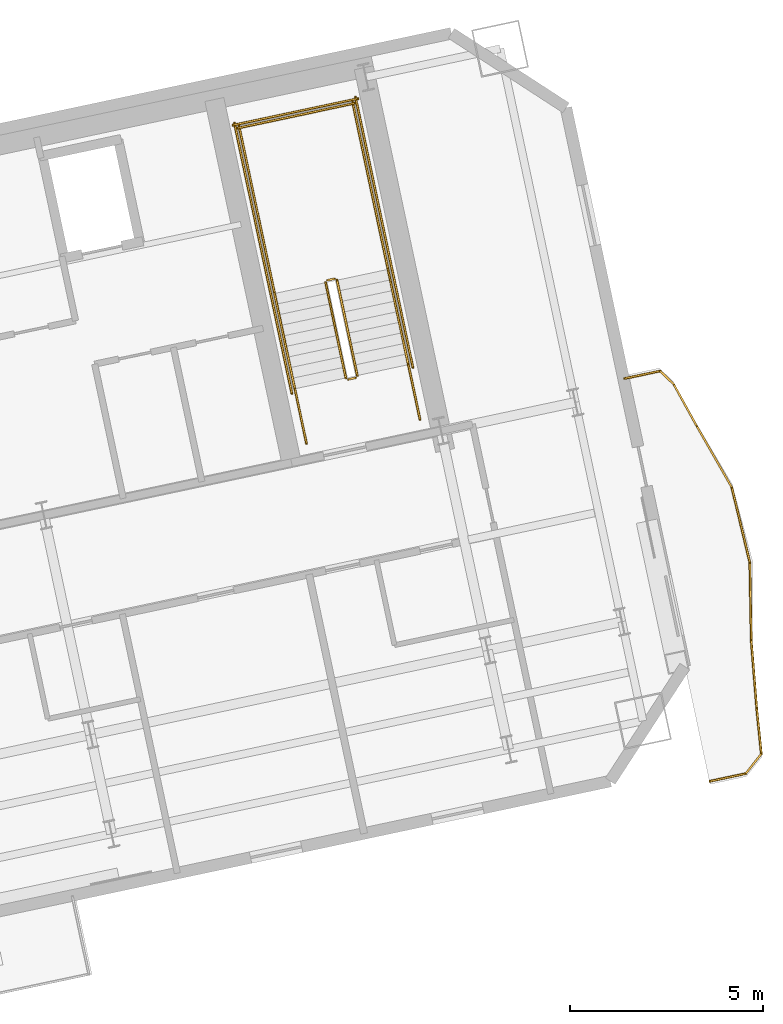
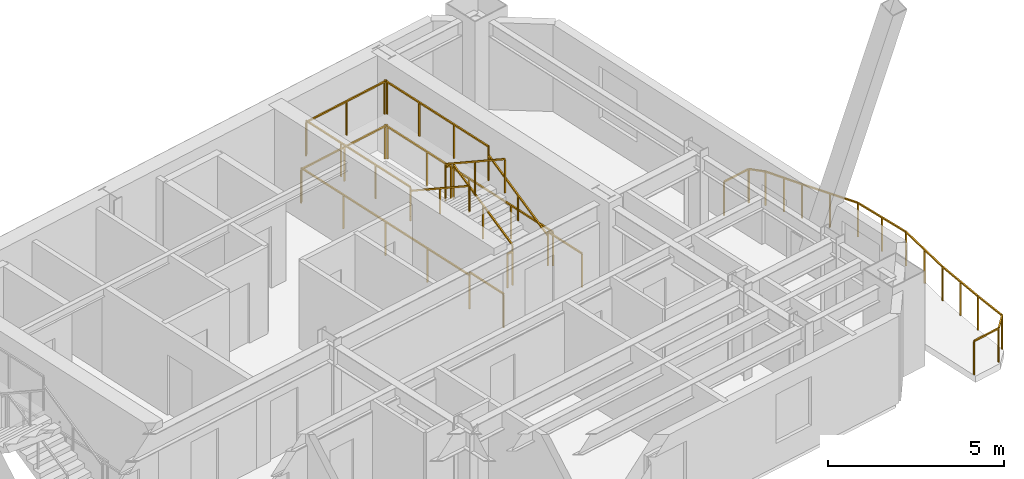
# One storey, part 13 of 13: 24 railings.
"""IFC4 building model written with IfcOpenShell, lengths in metres."""

from ifc_helpers import new_model, si_unit, direction, frame, origin, origin_2d, place, context, subcontext, project, spatial, rectangle, extrude, material, type_object, element, save


model = new_model("IFC4")

# Units and contexts
model_context = context("Model", 3, precision=1e-05, world=origin(), true_north=direction((0.0, 1.0)))
body_context = subcontext(model_context, "Body", "Model", "MODEL_VIEW")
ifc_project = project(units=[si_unit("LENGTHUNIT", "METRE"), si_unit("AREAUNIT", "SQUARE_METRE"), si_unit("VOLUMEUNIT", "CUBIC_METRE"), si_unit("PLANEANGLEUNIT", "RADIAN"), si_unit("MASSUNIT", "GRAM", prefix="KILO")], contexts=[model_context])

# Site, building, storey
site_placement = place(None, origin())
site = spatial("IfcSite", under=ifc_project, at=site_placement, CompositionType="ELEMENT")
building_placement = place(site_placement, origin())
building = spatial("IfcBuilding", under=site, at=building_placement, Name="Haevon Station Towers", CompositionType="ELEMENT")
storey_placement = place(building_placement, frame((0.0, 0.0, 185.699951171875)))
storey = spatial("IfcBuildingStorey", under=building, at=storey_placement, Name="L51", CompositionType="ELEMENT", Elevation=185.699951171875)

# Railings
ifc_material = material(Name="Steel S355", Category="steel")
railing_type_1 = type_object("IfcRailingType", Name="GRD-EXT1200", PredefinedType="GUARDRAIL", material=ifc_material)
railing_1_placement = place(storey_placement, frame((126.252197265625, 32.750244140625, 0.0)))
element("IfcRailing", 1, at=railing_1_placement, inside=storey, type_object=railing_type_1, Name="L51 Perimeter Guardrail 1", PredefinedType="GUARDRAIL", context=body_context, shape_type="SweptSolid", body=[
    extrude(rectangle(XDim=0.048095703125, YDim=0.048095703125, at=origin_2d()), frame((0.0, 0.0, 1.17578125), z_axis=(0.977696305652, 0.210023650844, 0.0), x_axis=(-0.210023650844, 0.977696305652, 0.0)), (0.0, 0.0, 1.0), 0.94384765625),
    extrude(rectangle(XDim=0.0419921875, YDim=0.0419921875, at=origin_2d()), origin(), (0.0, 0.0, 1.0), 1.15185546875),
    extrude(rectangle(XDim=0.0419921875, YDim=0.0419921875, at=origin_2d()), frame((0.9228515625, 0.1982421875, 0.0)), (0.0, 0.0, 1.0), 1.15185546875),
])
railing_2_placement = place(storey_placement, frame((127.175048828125, 32.948486328125, 0.0)))
element("IfcRailing", 2, at=railing_2_placement, inside=storey, type_object=railing_type_1, Name="L51 Perimeter Guardrail 2", PredefinedType="GUARDRAIL", context=body_context, shape_type="SweptSolid", body=[
    extrude(rectangle(XDim=0.048095703125, YDim=0.048095703125, at=origin_2d()), frame((0.0, 0.0, 1.17578125), z_axis=(0.622202546772, 0.782856302773, 0.0), x_axis=(-0.782856302773, 0.622202546772, 0.0)), (0.0, 0.0, 1.0), 0.645751953125),
    extrude(rectangle(XDim=0.0419921875, YDim=0.0419921875, at=origin_2d()), origin(), (0.0, 0.0, 1.0), 1.15185546875),
    extrude(rectangle(XDim=0.0419921875, YDim=0.0419921875, at=origin_2d()), frame((0.40185546875, 0.505615234375, 0.0)), (0.0, 0.0, 1.0), 1.15185546875),
])
railing_3_placement = place(storey_placement, frame((127.576904296875, 33.4541015625, 0.0)))
element("IfcRailing", 3, at=railing_3_placement, inside=storey, type_object=railing_type_1, Name="L51 Perimeter Guardrail 3", PredefinedType="GUARDRAIL", context=body_context, shape_type="SweptSolid", body=[
    extrude(rectangle(XDim=0.048095703125, YDim=0.048095703125, at=origin_2d()), frame((0.0, 0.0, 1.17578125), z_axis=(-0.100981781976, 0.994888274988, 0.0), x_axis=(-0.994888274988, -0.100981781976, 0.0)), (0.0, 0.0, 1.0), 1.177490234375),
    extrude(rectangle(XDim=0.0419921875, YDim=0.0419921875, at=origin_2d()), origin(), (0.0, 0.0, 1.0), 1.15185546875),
    extrude(rectangle(XDim=0.0419921875, YDim=0.0419921875, at=origin_2d()), frame((-0.118896484375, 1.17138671875, 0.0)), (0.0, 0.0, 1.0), 1.15185546875),
])
railing_4_placement = place(storey_placement, frame((127.4580078125, 34.62548828125, 0.0)))
element("IfcRailing", 4, at=railing_4_placement, inside=storey, type_object=railing_type_1, Name="L51 Perimeter Guardrail 4", PredefinedType="GUARDRAIL", context=body_context, shape_type="SweptSolid", body=[
    extrude(rectangle(XDim=0.048095703125, YDim=0.048095703125, at=origin_2d()), frame((0.0, 0.0, 1.17578125), z_axis=(-0.080135783241, 0.996783956655, 0.0), x_axis=(-0.996783956655, -0.080135783241, 0.0)), (0.0, 0.0, 1.0), 1.763916015625),
    extrude(rectangle(XDim=0.0419921875, YDim=0.0419921875, at=origin_2d()), origin(), (0.0, 0.0, 1.0), 1.15185546875),
    extrude(rectangle(XDim=0.0419921875, YDim=0.0419921875, at=origin_2d()), frame((-0.07080078125, 0.879150390625, 0.0)), (0.0, 0.0, 1.0), 1.15185546875),
    extrude(rectangle(XDim=0.0419921875, YDim=0.0419921875, at=origin_2d()), frame((-0.141357421875, 1.75830078125, 0.0)), (0.0, 0.0, 1.0), 1.15185546875),
])
railing_5_placement = place(storey_placement, frame((127.316650390625, 36.3837890625, 0.0)))
element("IfcRailing", 5, at=railing_5_placement, inside=storey, type_object=railing_type_1, Name="L51 Perimeter Guardrail 5", PredefinedType="GUARDRAIL", context=body_context, shape_type="SweptSolid", body=[
    extrude(rectangle(XDim=0.048095703125, YDim=0.048095703125, at=origin_2d()), frame((0.0, 0.0, 1.17578125), z_axis=(-0.018555493628, 0.999827832007, 0.0), x_axis=(-0.999827832007, -0.018555493628, 0.0)), (0.0, 0.0, 1.0), 2.026123046875),
    extrude(rectangle(XDim=0.0419921875, YDim=0.0419921875, at=origin_2d()), origin(), (0.0, 0.0, 1.0), 1.15185546875),
    extrude(rectangle(XDim=0.0419921875, YDim=0.0419921875, at=origin_2d()), frame((-0.018798828125, 1.012939453125, 0.0)), (0.0, 0.0, 1.0), 1.15185546875),
    extrude(rectangle(XDim=0.0419921875, YDim=0.0419921875, at=origin_2d()), frame((-0.03759765625, 2.02587890625, 0.0)), (0.0, 0.0, 1.0), 1.15185546875),
])
railing_6_placement = place(storey_placement, frame((127.279052734375, 38.40966796875, 0.0)))
element("IfcRailing", 6, at=railing_6_placement, inside=storey, type_object=railing_type_1, Name="L51 Perimeter Guardrail 6", PredefinedType="GUARDRAIL", context=body_context, shape_type="SweptSolid", body=[
    extrude(rectangle(XDim=0.048095703125, YDim=0.048095703125, at=origin_2d()), frame((0.0, 0.0, 1.17578125), z_axis=(-0.233650836689, 0.972320567773, 0.0), x_axis=(-0.972320567773, -0.233650836689, 0.0)), (0.0, 0.0, 1.0), 1.99365234375),
    extrude(rectangle(XDim=0.0419921875, YDim=0.0419921875, at=origin_2d()), origin(), (0.0, 0.0, 1.0), 1.15185546875),
    extrude(rectangle(XDim=0.0419921875, YDim=0.0419921875, at=origin_2d()), frame((-0.23291015625, 0.96923828125, 0.0)), (0.0, 0.0, 1.0), 1.15185546875),
    extrude(rectangle(XDim=0.0419921875, YDim=0.0419921875, at=origin_2d()), frame((-0.4658203125, 1.9384765625, 0.0)), (0.0, 0.0, 1.0), 1.15185546875),
])
railing_7_placement = place(storey_placement, frame((126.813232421875, 40.34814453125, 0.0)))
element("IfcRailing", 7, at=railing_7_placement, inside=storey, type_object=railing_type_1, Name="L51 Perimeter Guardrail 7", PredefinedType="GUARDRAIL", context=body_context, shape_type="SweptSolid", body=[
    extrude(rectangle(XDim=0.048095703125, YDim=0.048095703125, at=origin_2d()), frame((0.0, 0.0, 1.17578125), z_axis=(-0.49628237172, 0.868161164485, 0.0), x_axis=(-0.868161164485, -0.49628237172, 0.0)), (0.0, 0.0, 1.0), 1.8330078125),
    extrude(rectangle(XDim=0.0419921875, YDim=0.0419921875, at=origin_2d()), origin(), (0.0, 0.0, 1.0), 1.15185546875),
    extrude(rectangle(XDim=0.0419921875, YDim=0.0419921875, at=origin_2d()), frame((-0.454833984375, 0.795654296875, 0.0)), (0.0, 0.0, 1.0), 1.15185546875),
    extrude(rectangle(XDim=0.0419921875, YDim=0.0419921875, at=origin_2d()), frame((-0.90966796875, 1.59130859375, 0.0)), (0.0, 0.0, 1.0), 1.15185546875),
])
railing_8_placement = place(storey_placement, frame((125.903564453125, 41.939453125, 0.0)))
element("IfcRailing", 8, at=railing_8_placement, inside=storey, type_object=railing_type_1, Name="L51 Perimeter Guardrail 8", PredefinedType="GUARDRAIL", context=body_context, shape_type="SweptSolid", body=[
    extrude(rectangle(XDim=0.048095703125, YDim=0.048095703125, at=origin_2d()), frame((0.0, 0.0, 1.17578125), z_axis=(-0.482401562571, 0.875950188327, 0.0), x_axis=(-0.875950188327, -0.482401562571, 0.0)), (0.0, 0.0, 1.0), 1.22265625),
    extrude(rectangle(XDim=0.0419921875, YDim=0.0419921875, at=origin_2d()), origin(), (0.0, 0.0, 1.0), 1.15185546875),
    extrude(rectangle(XDim=0.0419921875, YDim=0.0419921875, at=origin_2d()), frame((-0.294921875, 0.53564453125, 0.0)), (0.0, 0.0, 1.0), 1.15185546875),
    extrude(rectangle(XDim=0.0419921875, YDim=0.0419921875, at=origin_2d()), frame((-0.58984375, 1.071044921875, 0.0)), (0.0, 0.0, 1.0), 1.15185546875),
])
railing_9_placement = place(storey_placement, frame((125.313720703125, 43.010498046875, 0.0)))
element("IfcRailing", 9, at=railing_9_placement, inside=storey, type_object=railing_type_1, Name="L51 Perimeter Guardrail 9", PredefinedType="GUARDRAIL", context=body_context, shape_type="SweptSolid", body=[
    extrude(rectangle(XDim=0.048095703125, YDim=0.048095703125, at=origin_2d()), frame((0.0, 0.0, 1.17578125), z_axis=(-0.712536329819, 0.70163521768, 0.0), x_axis=(-0.70163521768, -0.712536329819, 0.0)), (0.0, 0.0, 1.0), 0.49267578125),
    extrude(rectangle(XDim=0.0419921875, YDim=0.0419921875, at=origin_2d()), origin(), (0.0, 0.0, 1.0), 1.15185546875),
    extrude(rectangle(XDim=0.0419921875, YDim=0.0419921875, at=origin_2d()), frame((-0.35107421875, 0.345703125, 0.0)), (0.0, 0.0, 1.0), 1.15185546875),
])
railing_10_placement = place(storey_placement, frame((124.962646484375, 43.356201171875, 0.0)))
element("IfcRailing", 10, at=railing_10_placement, inside=storey, type_object=railing_type_1, Name="L51 Perimeter Guardrail 10", PredefinedType="GUARDRAIL", context=body_context, shape_type="SweptSolid", body=[
    extrude(rectangle(XDim=0.048095703125, YDim=0.048095703125, at=origin_2d()), frame((0.0, 0.0, 1.17578125), z_axis=(-0.978612883571, -0.205710534754, 0.0), x_axis=(0.205710534754, -0.978612883571, 0.0)), (0.0, 0.0, 1.0), 0.943603515625),
    extrude(rectangle(XDim=0.0419921875, YDim=0.0419921875, at=origin_2d()), origin(), (0.0, 0.0, 1.0), 1.15185546875),
    extrude(rectangle(XDim=0.0419921875, YDim=0.0419921875, at=origin_2d()), frame((-0.92333984375, -0.194091796875, 0.0)), (0.0, 0.0, 1.0), 1.15185546875),
])
railing_type_2 = type_object("IfcRailingType", Name="GRD-STR1200", PredefinedType="GUARDRAIL", material=ifc_material)
railing_11_placement = place(storey_placement, frame((117.128662109375, 43.23974609375, 0.1650390625)))
element("IfcRailing", 11, at=railing_11_placement, inside=storey, type_object=railing_type_2, Name="L51 ST4 Stair Guard 1", PredefinedType="GUARDRAIL", context=body_context, shape_type="SweptSolid", body=[
    extrude(rectangle(XDim=0.048095703125, YDim=0.048095703125, at=origin_2d()), frame((0.0, 0.0, 1.17578125), z_axis=(-0.179121265225, 0.842687928106, 0.507732831485), x_axis=(-0.978147030254, -0.207914374695, 0.0)), (0.0, 0.0, 1.0), 2.925048828125),
    extrude(rectangle(XDim=0.0419921875, YDim=0.0419921875, at=origin_2d()), origin(), (0.0, 0.0, 1.0), 1.15185546875),
    extrude(rectangle(XDim=0.0419921875, YDim=0.0419921875, at=origin_2d()), frame((-0.261962890625, 1.232421875, 0.74267578125)), (0.0, 0.0, 1.0), 1.15185546875),
    extrude(rectangle(XDim=0.0419921875, YDim=0.0419921875, at=origin_2d()), frame((-0.52392578125, 2.46484375, 1.485107421875)), (0.0, 0.0, 1.0), 1.15185546875),
])
railing_12_placement = place(storey_placement, frame((116.54541015625, 45.7431640625, 1.650146484375)))
element("IfcRailing", 12, at=railing_12_placement, inside=storey, type_object=railing_type_2, Name="L51 ST4 Stair Guard 2", PredefinedType="GUARDRAIL", context=body_context, shape_type="SweptSolid", body=[
    extrude(rectangle(XDim=0.048095703125, YDim=0.048095703125, at=origin_2d()), frame((0.0, 0.0, 1.17578125), z_axis=(-0.97826412705, -0.207362720198, 0.0), x_axis=(0.207362720198, -0.97826412705, 0.0)), (0.0, 0.0, 1.0), 0.2001953125),
    extrude(rectangle(XDim=0.0419921875, YDim=0.0419921875, at=origin_2d()), origin(), (0.0, 0.0, 1.0), 1.15185546875),
    extrude(rectangle(XDim=0.0419921875, YDim=0.0419921875, at=origin_2d()), frame((-0.19580078125, -0.04150390625, 0.0)), (0.0, 0.0, 1.0), 1.15185546875),
])
railing_13_placement = place(storey_placement, frame((117.925048828125, 45.9853515625, 1.650146484375)))
element("IfcRailing", 13, at=railing_13_placement, inside=storey, type_object=railing_type_2, Name="L51 ST4 Stair Guard 3", PredefinedType="GUARDRAIL", context=body_context, shape_type="SweptSolid", body=[
    extrude(rectangle(XDim=0.048095703125, YDim=0.048095703125, at=origin_2d()), frame((0.0, 0.0, 1.17578125), z_axis=(-0.207876551949, 0.978155069071, 0.0), x_axis=(-0.978155069071, -0.207876551949, 0.0)), (0.0, 0.0, 1.0), 4.429931640625),
    extrude(rectangle(XDim=0.0419921875, YDim=0.0419921875, at=origin_2d()), origin(), (0.0, 0.0, 1.0), 1.15185546875),
    extrude(rectangle(XDim=0.0419921875, YDim=0.0419921875, at=origin_2d()), frame((-0.306884765625, 1.4443359375, 0.0)), (0.0, 0.0, 1.0), 1.15185546875),
    extrude(rectangle(XDim=0.0419921875, YDim=0.0419921875, at=origin_2d()), frame((-0.614013671875, 2.888916015625, 0.0)), (0.0, 0.0, 1.0), 1.15185546875),
    extrude(rectangle(XDim=0.0419921875, YDim=0.0419921875, at=origin_2d()), frame((-0.9208984375, 4.333251953125, 0.0)), (0.0, 0.0, 1.0), 1.15185546875),
])
railing_14_placement = place(storey_placement, frame((114.99072265625, 45.361572265625, 1.650146484375)))
element("IfcRailing", 14, at=railing_14_placement, inside=storey, type_object=railing_type_2, Name="L51 ST4 Stair Guard 4", PredefinedType="GUARDRAIL", context=body_context, shape_type="SweptSolid", body=[
    extrude(rectangle(XDim=0.048095703125, YDim=0.048095703125, at=origin_2d()), frame((0.0, 0.0, 1.17578125), z_axis=(-0.207929280007, 0.978143861871, 0.0), x_axis=(-0.978143861871, -0.207929280007, 0.0)), (0.0, 0.0, 1.0), 4.43017578125),
    extrude(rectangle(XDim=0.0419921875, YDim=0.0419921875, at=origin_2d()), origin(), (0.0, 0.0, 1.0), 1.15185546875),
    extrude(rectangle(XDim=0.0419921875, YDim=0.0419921875, at=origin_2d()), frame((-0.30712890625, 1.4443359375, 0.0)), (0.0, 0.0, 1.0), 1.15185546875),
    extrude(rectangle(XDim=0.0419921875, YDim=0.0419921875, at=origin_2d()), frame((-0.614013671875, 2.888916015625, 0.0)), (0.0, 0.0, 1.0), 1.15185546875),
    extrude(rectangle(XDim=0.0419921875, YDim=0.0419921875, at=origin_2d()), frame((-0.921142578125, 4.333251953125, 0.0)), (0.0, 0.0, 1.0), 1.15185546875),
])
railing_15_placement = place(storey_placement, frame((117.0634765625, 50.280029296875, 1.650146484375)))
element("IfcRailing", 15, at=railing_15_placement, inside=storey, type_object=railing_type_2, Name="L51 ST4 Stair Guard 5", PredefinedType="GUARDRAIL", context=body_context, shape_type="SweptSolid", body=[
    extrude(rectangle(XDim=0.048095703125, YDim=0.048095703125, at=origin_2d()), frame((0.0, 0.0, 1.17578125), z_axis=(-0.978146839882, -0.207915270313, 0.0), x_axis=(0.207915270313, -0.978146839882, 0.0)), (0.0, 0.0, 1.0), 3.099853515625),
    extrude(rectangle(XDim=0.0419921875, YDim=0.0419921875, at=origin_2d()), origin(), (0.0, 0.0, 1.0), 1.15185546875),
    extrude(rectangle(XDim=0.0419921875, YDim=0.0419921875, at=origin_2d()), frame((-1.51611328125, -0.322265625, 0.0)), (0.0, 0.0, 1.0), 1.15185546875),
    extrude(rectangle(XDim=0.0419921875, YDim=0.0419921875, at=origin_2d()), frame((-3.0322265625, -0.64453125, 0.0)), (0.0, 0.0, 1.0), 1.15185546875),
])
railing_16_placement = place(storey_placement, frame((116.311279296875, 45.642333984375, 1.81494140625)))
element("IfcRailing", 16, at=railing_16_placement, inside=storey, type_object=railing_type_2, Name="L51 ST4 Stair Guard 6", PredefinedType="GUARDRAIL", context=body_context, shape_type="SweptSolid", body=[
    extrude(rectangle(XDim=0.048095703125, YDim=0.048095703125, at=origin_2d()), frame((0.0, 0.0, 1.17578125), z_axis=(0.179108667068, -0.842712120868, 0.50769712105), x_axis=(0.978151217824, 0.207894673017, 0.0)), (0.0, 0.0, 1.0), 2.92529296875),
    extrude(rectangle(XDim=0.0419921875, YDim=0.0419921875, at=origin_2d()), origin(), (0.0, 0.0, 1.0), 1.15185546875),
    extrude(rectangle(XDim=0.0419921875, YDim=0.0419921875, at=origin_2d()), frame((0.261962890625, -1.232421875, 0.74267578125)), (0.0, 0.0, 1.0), 1.15185546875),
    extrude(rectangle(XDim=0.0419921875, YDim=0.0419921875, at=origin_2d()), frame((0.52392578125, -2.465087890625, 1.485107421875)), (0.0, 0.0, 1.0), 1.15185546875),
])
railing_17_placement = place(storey_placement, frame((117.090087890625, 43.180419921875, 0.0)))
element("IfcRailing", 17, at=railing_17_placement, inside=storey, type_object=railing_type_2, Name="L51 ST4 Stair Guard 7", PredefinedType="GUARDRAIL", context=body_context, shape_type="SweptSolid", body=[
    extrude(rectangle(XDim=0.048095703125, YDim=0.048095703125, at=origin_2d()), frame((0.0, 0.0, 1.17578125), z_axis=(-0.978211583308, -0.207610448392, 0.0), x_axis=(0.207610448392, -0.978211583308, 0.0)), (0.0, 0.0, 1.0), 0.199951171875),
    extrude(rectangle(XDim=0.0419921875, YDim=0.0419921875, at=origin_2d()), origin(), (0.0, 0.0, 1.0), 1.15185546875),
    extrude(rectangle(XDim=0.0419921875, YDim=0.0419921875, at=origin_2d()), frame((-0.195556640625, -0.04150390625, 0.0)), (0.0, 0.0, 1.0), 1.15185546875),
])
for number, where, name in (
    (18, (118.75048828125, 42.10205078125, 0.0), "L51 ST4 Stair Guard 8"),
    (19, (115.816162109375, 41.478271484375, 0.0), "L51 ST4 Stair Guard 9"),
):
    element("IfcRailing", number, at=place(storey_placement, frame(where)), inside=storey, type_object=railing_type_2, Name=name, PredefinedType="GUARDRAIL", context=body_context, shape_type="SweptSolid", body=[
        extrude(rectangle(XDim=0.048095703125, YDim=0.048095703125, at=origin_2d()), frame((0.0, 0.0, 1.17578125), z_axis=(-0.207919161079, 0.978146012851, 0.0), x_axis=(-0.978146012851, -0.207919161079, 0.0)), (0.0, 0.0, 1.0), 1.4501953125),
        extrude(rectangle(XDim=0.0419921875, YDim=0.0419921875, at=origin_2d()), origin(), (0.0, 0.0, 1.0), 1.15185546875),
        extrude(rectangle(XDim=0.0419921875, YDim=0.0419921875, at=origin_2d()), frame((-0.301513671875, 1.41845703125, 0.0)), (0.0, 0.0, 1.0), 1.15185546875),
    ])
railing_18_placement = place(storey_placement, frame((118.567626953125, 43.443359375, 0.0)))
element("IfcRailing", 20, at=railing_18_placement, inside=storey, type_object=railing_type_2, Name="L51 ST4 Stair Guard 10", PredefinedType="GUARDRAIL", context=body_context, shape_type="SweptSolid", body=[
    extrude(rectangle(XDim=0.048095703125, YDim=0.048095703125, at=origin_2d()), frame((0.0, 0.0, 1.17578125), z_axis=(-0.207908168386, 0.978148349443, 0.0), x_axis=(-0.978148349443, -0.207908168386, 0.0)), (0.0, 0.0, 1.0), 7.150146484375),
    extrude(rectangle(XDim=0.0419921875, YDim=0.0419921875, at=origin_2d()), origin(), (0.0, 0.0, 1.0), 1.15185546875),
    extrude(rectangle(XDim=0.0419921875, YDim=0.0419921875, at=origin_2d()), frame((-0.37158203125, 1.74853515625, 0.0)), (0.0, 0.0, 1.0), 1.15185546875),
    extrude(rectangle(XDim=0.0419921875, YDim=0.0419921875, at=origin_2d()), frame((-0.7431640625, 3.4970703125, 0.0)), (0.0, 0.0, 1.0), 1.15185546875),
    extrude(rectangle(XDim=0.0419921875, YDim=0.0419921875, at=origin_2d()), frame((-1.114990234375, 5.245361328125, 0.0)), (0.0, 0.0, 1.0), 1.15185546875),
    extrude(rectangle(XDim=0.0419921875, YDim=0.0419921875, at=origin_2d()), frame((-1.486572265625, 6.993896484375, 0.0)), (0.0, 0.0, 1.0), 1.15185546875),
])
railing_19_placement = place(storey_placement, frame((115.4375, 42.778076171875, 0.0)))
element("IfcRailing", 21, at=railing_19_placement, inside=storey, type_object=railing_type_2, Name="L51 ST4 Stair Guard 11", PredefinedType="GUARDRAIL", context=body_context, shape_type="SweptSolid", body=[
    extrude(rectangle(XDim=0.048095703125, YDim=0.048095703125, at=origin_2d()), frame((0.0, 0.0, 1.17578125), z_axis=(-0.207882442208, 0.978153817261, 0.0), x_axis=(-0.978153817261, -0.207882442208, 0.0)), (0.0, 0.0, 1.0), 7.14990234375),
    extrude(rectangle(XDim=0.0419921875, YDim=0.0419921875, at=origin_2d()), origin(), (0.0, 0.0, 1.0), 1.15185546875),
    extrude(rectangle(XDim=0.0419921875, YDim=0.0419921875, at=origin_2d()), frame((-0.37158203125, 1.74853515625, 0.0)), (0.0, 0.0, 1.0), 1.15185546875),
    extrude(rectangle(XDim=0.0419921875, YDim=0.0419921875, at=origin_2d()), frame((-0.7431640625, 3.496826171875, 0.0)), (0.0, 0.0, 1.0), 1.15185546875),
    extrude(rectangle(XDim=0.0419921875, YDim=0.0419921875, at=origin_2d()), frame((-1.11474609375, 5.2451171875, 0.0)), (0.0, 0.0, 1.0), 1.15185546875),
    extrude(rectangle(XDim=0.0419921875, YDim=0.0419921875, at=origin_2d()), frame((-1.486328125, 6.99365234375, 0.0)), (0.0, 0.0, 1.0), 1.15185546875),
])
railing_20_placement = place(storey_placement, frame((117.140380859375, 50.398681640625, 0.0)))
element("IfcRailing", 22, at=railing_20_placement, inside=storey, type_object=railing_type_2, Name="L51 ST4 Stair Guard 12", PredefinedType="GUARDRAIL", context=body_context, shape_type="SweptSolid", body=[
    extrude(rectangle(XDim=0.048095703125, YDim=0.048095703125, at=origin_2d()), frame((0.0, 0.0, 1.17578125), z_axis=(-0.978135717418, -0.207967589567, 0.0), x_axis=(0.207967589567, -0.978135717418, 0.0)), (0.0, 0.0, 1.0), 3.300048828125),
    extrude(rectangle(XDim=0.0419921875, YDim=0.0419921875, at=origin_2d()), origin(), (0.0, 0.0, 1.0), 1.15185546875),
    extrude(rectangle(XDim=0.0419921875, YDim=0.0419921875, at=origin_2d()), frame((-1.61376953125, -0.34326171875, 0.0)), (0.0, 0.0, 1.0), 1.15185546875),
    extrude(rectangle(XDim=0.0419921875, YDim=0.0419921875, at=origin_2d()), frame((-3.227783203125, -0.686279296875, 0.0)), (0.0, 0.0, 1.0), 1.15185546875),
])
railing_type_3 = type_object("IfcRailingType", Name="HND-STR900", PredefinedType="HANDRAIL", material=ifc_material)
railing_21_placement = place(storey_placement, frame((118.448974609375, 43.5205078125, 0.1650390625)))
element("IfcRailing", 23, at=railing_21_placement, inside=storey, type_object=railing_type_3, Name="L51 ST4 Stair Handrail 1", PredefinedType="HANDRAIL", context=body_context, shape_type="SweptSolid", body=[
    extrude(rectangle(XDim=0.048095703125, YDim=0.048095703125, at=origin_2d()), frame((0.0, 0.0, 0.8759765625), z_axis=(-0.179121265225, 0.842687928106, 0.507732831485), x_axis=(-0.978147030254, -0.207914374695, 0.0)), (0.0, 0.0, 1.0), 2.925048828125),
    extrude(rectangle(XDim=0.0419921875, YDim=0.0419921875, at=origin_2d()), origin(), (0.0, 0.0, 1.0), 0.851806640625),
    extrude(rectangle(XDim=0.0419921875, YDim=0.0419921875, at=origin_2d()), frame((-0.261962890625, 1.232421875, 0.74267578125)), (0.0, 0.0, 1.0), 0.851806640625),
    extrude(rectangle(XDim=0.0419921875, YDim=0.0419921875, at=origin_2d()), frame((-0.52392578125, 2.46484375, 1.485107421875)), (0.0, 0.0, 1.0), 0.851806640625),
])
railing_22_placement = place(storey_placement, frame((114.99072265625, 45.361572265625, 1.81494140625)))
element("IfcRailing", 24, at=railing_22_placement, inside=storey, type_object=railing_type_3, Name="L51 ST4 Stair Handrail 2", PredefinedType="HANDRAIL", context=body_context, shape_type="SweptSolid", body=[
    extrude(rectangle(XDim=0.048095703125, YDim=0.048095703125, at=origin_2d()), frame((0.0, 0.0, 0.8759765625), z_axis=(0.179121265225, -0.842687928106, 0.507732831485), x_axis=(0.978147030254, 0.207914374695, 0.0)), (0.0, 0.0, 1.0), 2.925048828125),
    extrude(rectangle(XDim=0.0419921875, YDim=0.0419921875, at=origin_2d()), origin(), (0.0, 0.0, 1.0), 0.851806640625),
    extrude(rectangle(XDim=0.0419921875, YDim=0.0419921875, at=origin_2d()), frame((0.261962890625, -1.232421875, 0.74267578125)), (0.0, 0.0, 1.0), 0.851806640625),
    extrude(rectangle(XDim=0.0419921875, YDim=0.0419921875, at=origin_2d()), frame((0.52392578125, -2.46484375, 1.485107421875)), (0.0, 0.0, 1.0), 0.851806640625),
])

save(model, "model.ifc")
